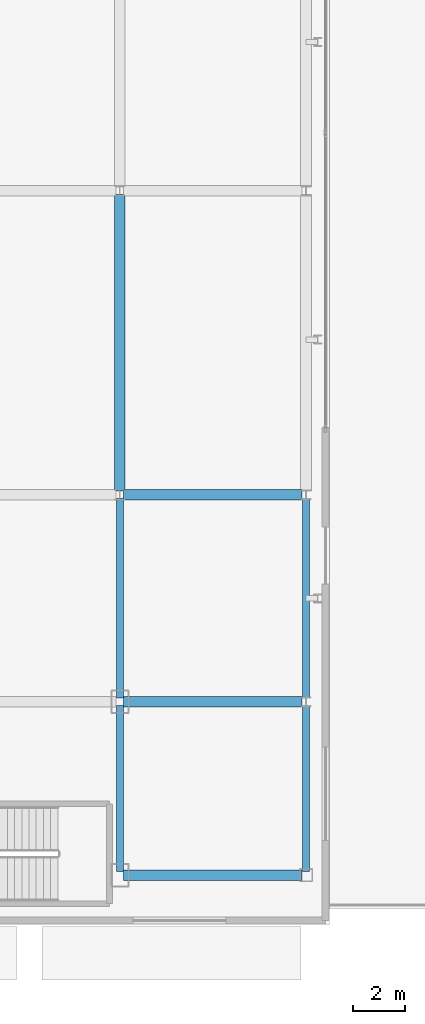
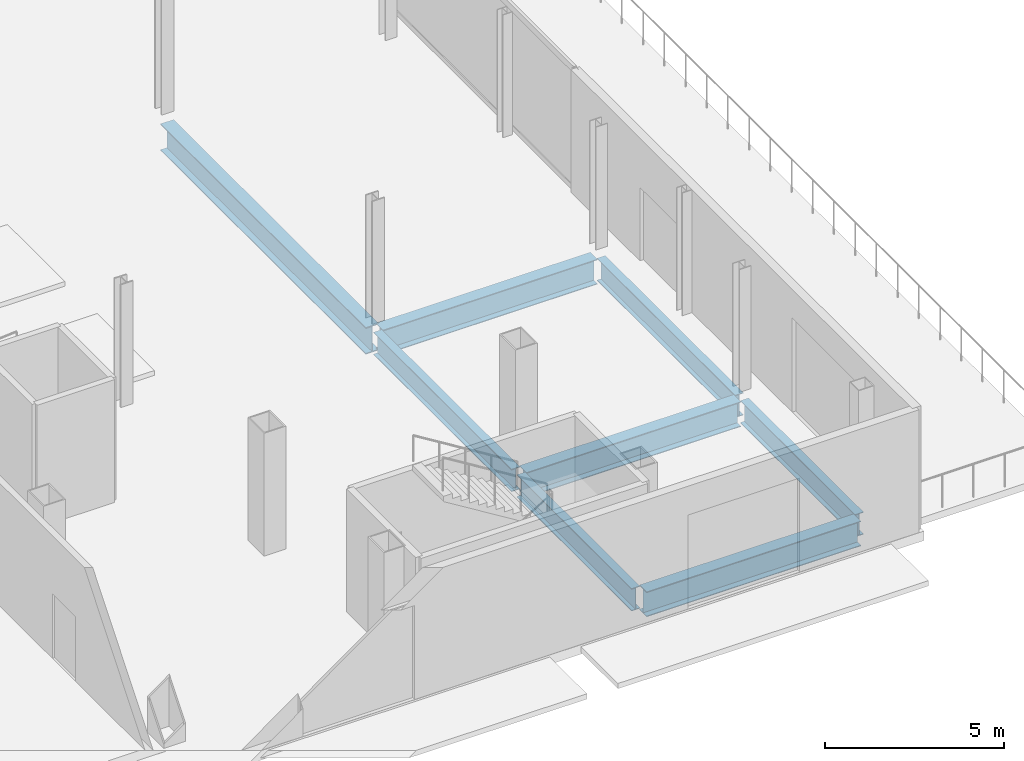
# One storey, part 16 of 31: 8 beams.
"""IFC4 building model written with IfcOpenShell, lengths in metres."""

import ifcopenshell
import ifcopenshell.guid

model = None  # the IFC model being written
_history = None  # IfcOwnerHistory: only IFC2X3 demands one
_inside = {}  # id of a spatial element -> (the spatial element, [elements in it])
_under = {}  # id of a project, library or spatial element -> (it, [spatial elements below it])
_declared = {}  # id of a project -> (the project, [libraries it declares])
_typed = {}  # id of a type object -> (the type object, [elements of that type])
_made_of = {}  # id of a material, layer set ... -> (it, [elements and type objects made of it])


def new_model(schema):
    """Start an empty IFC model of exactly this schema.

    Asked for "IFC4X3", IfcOpenShell would pick the latest addendum, in which some entities
    have other attributes; the version numbers below select the first issue.
    IFC2X3 requires an IfcOwnerHistory on every rooted entity: one is made here for all.
    """
    global model, _history
    if schema == "IFC4X3":
        model = ifcopenshell.file(schema_version=(4, 3, 0, 0))
    else:
        model = ifcopenshell.file(schema=schema)
    _inside.clear()
    _under.clear()
    _declared.clear()
    _typed.clear()
    _made_of.clear()
    _history = None
    if model.schema == "IFC2X3":
        org = make("IfcOrganization", Name="unknown")
        user = make(
            "IfcPersonAndOrganization",
            ThePerson=make("IfcPerson", FamilyName="unknown"),
            TheOrganization=org,
        )
        app = make(
            "IfcApplication",
            ApplicationDeveloper=org,
            Version="unknown",
            ApplicationFullName="unknown",
            ApplicationIdentifier="unknown",
        )
        _history = make(
            "IfcOwnerHistory",
            OwningUser=user,
            OwningApplication=app,
            ChangeAction="ADDED",
            CreationDate=0,
        )
    return model


def make(cls, **values):
    """One entity of the class cls with the attributes given. An attribute that is None is left unset."""
    return model.create_entity(
        cls, **{name: value for name, value in values.items() if value is not None}
    )


def rooted(cls, **values):
    """An entity with a GlobalId (a new one), such as an element, a storey or a relation."""
    return make(cls, GlobalId=ifcopenshell.guid.new(), OwnerHistory=_history, **values)


def si_unit(unit_type, name, prefix=None):
    """IfcSIUnit, for example si_unit("LENGTHUNIT", "METRE", prefix="MILLI")."""
    return make("IfcSIUnit", UnitType=unit_type, Prefix=prefix, Name=name)


def assignment(units):
    """IfcUnitAssignment: the units of a project."""
    return None if units is None else make("IfcUnitAssignment", Units=units)


def point(xyz):
    """IfcCartesianPoint."""
    return None if xyz is None else make("IfcCartesianPoint", Coordinates=xyz)


def direction(xyz):
    """IfcDirection."""
    return None if xyz is None else make("IfcDirection", DirectionRatios=xyz)


def frame(location, z_axis=None, x_axis=None):
    """IfcAxis2Placement3D, a coordinate frame: its origin and axes. An axis left out is left unset."""
    return make(
        "IfcAxis2Placement3D",
        Location=point(location),
        Axis=direction(z_axis),
        RefDirection=direction(x_axis),
    )


def frame_2d(location, x_axis=None):
    """IfcAxis2Placement2D, a coordinate frame in the plane: its origin and x axis."""
    return make(
        "IfcAxis2Placement2D", Location=point(location), RefDirection=direction(x_axis)
    )


def origin():
    """The frame at (0, 0, 0) with its axes left unset."""
    return frame((0.0, 0.0, 0.0))


def origin_2d():
    """The frame at (0, 0) in the plane with its x axis left unset."""
    return frame_2d((0.0, 0.0))


def place(relative_to, where):
    """IfcLocalPlacement: puts the frame where relative to a parent placement (None: the world)."""
    return make(
        "IfcLocalPlacement", PlacementRelTo=relative_to, RelativePlacement=where
    )


def context(
    kind, dimensions, precision=None, world=None, true_north=None, identifier=None
):
    """IfcGeometricRepresentationContext, for example the 3D "Model" context."""
    return make(
        "IfcGeometricRepresentationContext",
        ContextIdentifier=identifier,
        ContextType=kind,
        CoordinateSpaceDimension=dimensions,
        Precision=precision,
        WorldCoordinateSystem=world,
        TrueNorth=true_north,
    )


def subcontext(parent, identifier, kind, view, scale=None):
    """IfcGeometricRepresentationSubContext, for example "Body" below "Model"."""
    return make(
        "IfcGeometricRepresentationSubContext",
        ContextIdentifier=identifier,
        ContextType=kind,
        ParentContext=parent,
        TargetScale=scale,
        TargetView=view,
    )


def project(units=None, contexts=None):
    """IfcProject with its units and contexts."""
    return rooted(
        "IfcProject",
        Name="project",
        RepresentationContexts=contexts,
        UnitsInContext=assignment(units),
    )


def spatial(cls, under=None, at=None, **own):
    """A site, building, storey or space (cls), placed at a placement, below another one or the project."""
    s = rooted(cls, ObjectPlacement=at, **own)
    if under is not None:
        _under.setdefault(under.id(), (under, []))[1].append(s)
    return s


def profile(cls, at=None, kind="AREA", **sizes):
    """A parametric profile (cls). Its sizes go by their IFC names, for example OverallWidth=200.0."""
    return make(cls, ProfileType=kind, Position=at, **sizes)


def i_section(**sizes):
    """IfcIShapeProfileDef."""
    return profile("IfcIShapeProfileDef", **sizes)


def extrude(swept, where, along, depth):
    """IfcExtrudedAreaSolid: the profile swept, set in the frame where, extruded along a direction by depth."""
    return make(
        "IfcExtrudedAreaSolid",
        SweptArea=swept,
        Position=where,
        ExtrudedDirection=direction(along),
        Depth=depth,
    )


def shape(context_of_items, identifier, shape_type, items):
    """IfcShapeRepresentation: the items that make up one representation, for example the "Body"."""
    return make(
        "IfcShapeRepresentation",
        ContextOfItems=context_of_items,
        RepresentationIdentifier=identifier,
        RepresentationType=shape_type,
        Items=items,
    )


def source(mapping_origin, context_of_items, identifier, shape_type, items):
    """IfcRepresentationMap: a shape defined once, which mapped items show again and again."""
    return make(
        "IfcRepresentationMap",
        MappingOrigin=mapping_origin,
        MappedRepresentation=shape(context_of_items, identifier, shape_type, items),
    )


def transform(
    local_origin,
    x_axis=None,
    y_axis=None,
    z_axis=None,
    scale=None,
    scale2=None,
    scale3=None,
    uniform=True,
):
    """IfcCartesianTransformationOperator3D, or its non-uniform kind. x_axis, y_axis, z_axis: its Axis1, 2, 3."""
    if uniform:
        return make(
            "IfcCartesianTransformationOperator3D",
            Axis1=direction(x_axis),
            Axis2=direction(y_axis),
            LocalOrigin=point(local_origin),
            Scale=scale,
            Axis3=direction(z_axis),
        )
    return make(
        "IfcCartesianTransformationOperator3DnonUniform",
        Axis1=direction(x_axis),
        Axis2=direction(y_axis),
        LocalOrigin=point(local_origin),
        Scale=scale,
        Axis3=direction(z_axis),
        Scale2=scale2,
        Scale3=scale3,
    )


def mapped(mapping_source, mapping_target):
    """IfcMappedItem: shows the shape of a source again, moved by a transform."""
    return make(
        "IfcMappedItem", MappingSource=mapping_source, MappingTarget=mapping_target
    )


def material(Name=None, Category=None):
    """IfcMaterial."""
    return make("IfcMaterial", Name=Name, Category=Category)


def material_profile(
    of_material, cross_section, Name=None, Category=None, Priority=None
):
    """IfcMaterialProfile: a cross section and its material."""
    return make(
        "IfcMaterialProfile",
        Name=Name,
        Material=of_material,
        Profile=cross_section,
        Priority=Priority,
        Category=Category,
    )


def profile_set(profiles, Name=None, composite=None):
    """IfcMaterialProfileSet."""
    return make(
        "IfcMaterialProfileSet",
        Name=Name,
        MaterialProfiles=profiles,
        CompositeProfile=composite,
    )


def made_of(thing, what):
    """Note that an element or type object is made of a material, layer set ...; save() writes the relation."""
    if what is not None:
        _made_of.setdefault(what.id(), (what, []))[1].append(thing)
    return thing


def type_object(cls, material=None, **own):
    """A type object (cls), such as IfcWallType, which elements share."""
    return made_of(rooted(cls, **own), material)


def element(
    cls,
    number,
    at=None,
    inside=None,
    cuts=None,
    type_object=None,
    material=None,
    context=None,
    identifier="Body",
    shape_type=None,
    held_by="IfcProductDefinitionShape",
    body=None,
    shapes=None,
    **own,
):
    """One element of the class cls, such as IfcWall. Its Tag is "e" and its number.

    at: its placement. inside: the storey or other place that contains it. cuts: it is an
    opening in that element (IfcRelVoidsElement). A single representation is given by context,
    identifier, shape_type and body (its items); several are given by shapes. held_by: the class
    of the entity that holds the representations. save() writes the other relations.
    """
    e = rooted(cls, Tag="e%d" % number, ObjectPlacement=at, **own)
    if body is not None:
        shapes = [shape(context, identifier, shape_type, body)]
    if shapes is not None:
        e.Representation = make(held_by, Representations=shapes)
    if inside is not None:
        _inside.setdefault(inside.id(), (inside, []))[1].append(e)
    if cuts is not None:
        rooted(
            "IfcRelVoidsElement", RelatingBuildingElement=cuts, RelatedOpeningElement=e
        )
    if type_object is not None:
        _typed.setdefault(type_object.id(), (type_object, []))[1].append(e)
    return made_of(e, material)


def aggregate(whole, parts):
    """IfcRelAggregates: a whole, such as a stair, and the parts it consists of."""
    return rooted("IfcRelAggregates", RelatingObject=whole, RelatedObjects=parts)


def save(model, path):
    """Write the relations noted so far, then the file.

    IfcRelAggregates (storeys below a building ...), IfcRelContainedInSpatialStructure (elements
    in a storey), IfcRelDefinesByType, IfcRelAssociatesMaterial and IfcRelDeclares: one each for
    every whole, place, type object, material and project.
    """
    for whole, parts in _under.values():
        aggregate(whole, parts)
    for where, things in _inside.values():
        rooted(
            "IfcRelContainedInSpatialStructure",
            RelatedElements=things,
            RelatingStructure=where,
        )
    for kind, things in _typed.values():
        rooted("IfcRelDefinesByType", RelatedObjects=things, RelatingType=kind)
    for what, things in _made_of.values():
        rooted("IfcRelAssociatesMaterial", RelatedObjects=things, RelatingMaterial=what)
    for by, libraries in _declared.values():
        rooted("IfcRelDeclares", RelatingContext=by, RelatedDefinitions=libraries)
    model.write(path)


model = new_model("IFC4")

# Units and contexts
model_context = context("Model", 3, precision=1e-05, world=origin(), true_north=direction((0.0, 1.0)))
body_context = subcontext(model_context, "Body", "Model", "MODEL_VIEW")
ifc_project = project(units=[si_unit("LENGTHUNIT", "METRE"), si_unit("AREAUNIT", "SQUARE_METRE"), si_unit("VOLUMEUNIT", "CUBIC_METRE"), si_unit("PLANEANGLEUNIT", "RADIAN"), si_unit("MASSUNIT", "GRAM", prefix="KILO")], contexts=[model_context])

# Site, building, storey
site_placement = place(None, origin())
site = spatial("IfcSite", under=ifc_project, at=site_placement, CompositionType="ELEMENT")
building_placement = place(site_placement, origin())
building = spatial("IfcBuilding", under=site, at=building_placement, Name="Kolveth Station Tower", CompositionType="ELEMENT")
storey_placement = place(building_placement, origin())
storey = spatial("IfcBuildingStorey", under=building, at=storey_placement, Name="L00", CompositionType="ELEMENT", Elevation=0.0)

# Beams
ifc_material = material(Name="Steel S355", Category="steel")
ifc_material_profile_1 = material_profile(ifc_material, i_section(OverallWidth=0.40087890625, OverallDepth=0.85107421875, WebThickness=0.01611328125, FlangeThickness=0.025390625, at=origin_2d()), Name="W840x226")
ifc_profile_set_1 = profile_set([ifc_material_profile_1], Name="Steel S355")
beam_type_1 = type_object("IfcBeamType", Name="Beam_B2", PredefinedType="BEAM", material=ifc_profile_set_1)
shared_shape_1 = source(origin(), body_context, "Body", "SweptSolid", [
    extrude(i_section(OverallWidth=0.40087890625, OverallDepth=0.85107421875, WebThickness=0.01611328125, FlangeThickness=0.025390625, at=origin_2d()), origin(), (0.0, 0.0, 1.0), 6.900146484375),
])
for number, where, z_axis, x_axis, name in (
    (1, (63.64990234375, -9.199951171875, -0.74560546875), (1.0, 0.0, 0.0), (0.0, 1.0, 0.0), "L00 Station Portal Girder SBM-L00-EW-1-3"),
    (2, (63.64990234375, -2.5, -0.74560546875), (1.0, 0.0, 0.0), (0.0, 1.0, 0.0), "L00 Station Portal Girder SBM-L00-EW-2-3"),
    (3, (63.64990234375, 5.5, -0.74560546875), (1.0, 0.0, 0.0), (0.0, 1.0, 0.0), "L00 Station Portal Girder SBM-L00-EW-3-3"),
):
    element("IfcBeam", number, at=place(storey_placement, frame(where, z_axis=z_axis, x_axis=x_axis)), inside=storey, type_object=beam_type_1, Name=name, PredefinedType="BEAM", context=body_context, shape_type="MappedRepresentation", body=[
        mapped(shared_shape_1, transform((0.0, 0.0, 0.0), x_axis=(1.0, 0.0, 0.0), y_axis=(0.0, 1.0, 0.0), z_axis=(0.0, 0.0, 1.0), scale=1.0)),
    ])
ifc_material_profile_2 = material_profile(ifc_material, i_section(OverallWidth=0.26708984375, OverallDepth=0.76611328125, WebThickness=0.014892578125, FlangeThickness=0.023681640625, at=origin_2d()), Name="W760x185")
ifc_profile_set_2 = profile_set([ifc_material_profile_2], Name="Steel S355")
beam_type_2 = type_object("IfcBeamType", Name="Beam_B3", PredefinedType="BEAM", material=ifc_profile_set_2)
shared_shape_2 = source(origin(), body_context, "Body", "SweptSolid", [
    extrude(i_section(OverallWidth=0.26708984375, OverallDepth=0.76611328125, WebThickness=0.014892578125, FlangeThickness=0.023681640625, at=origin_2d()), origin(), (0.0, 0.0, 1.0), 6.400146484375),
])
for number, where, z_axis, x_axis, name in (
    (4, (63.5, -9.050048828125, -0.702880859375), (0.0, 1.0, 0.0), (-1.0, 0.0, 0.0), "L00 Station Spine Girder SBM-L00-NS-3-1"),
    (5, (70.699951171875, -9.050048828125, -0.702880859375), (0.0, 1.0, 0.0), (-1.0, 0.0, 0.0), "L00 Station Spine Girder SBM-L00-NS-4-1"),
):
    element("IfcBeam", number, at=place(storey_placement, frame(where, z_axis=z_axis, x_axis=x_axis)), inside=storey, type_object=beam_type_2, Name=name, PredefinedType="BEAM", context=body_context, shape_type="MappedRepresentation", body=[
        mapped(shared_shape_2, transform((0.0, 0.0, 0.0), x_axis=(1.0, 0.0, 0.0), y_axis=(0.0, 1.0, 0.0), z_axis=(0.0, 0.0, 1.0), scale=1.0)),
    ])
shared_shape_3 = source(origin(), body_context, "Body", "SweptSolid", [
    extrude(i_section(OverallWidth=0.26708984375, OverallDepth=0.76611328125, WebThickness=0.014892578125, FlangeThickness=0.023681640625, at=origin_2d()), origin(), (0.0, 0.0, 1.0), 7.7001953125),
])
for number, where, z_axis, x_axis, name in (
    (6, (63.5, -2.35009765625, -0.702880859375), (0.0, 1.0, 0.0), (-1.0, 0.0, 0.0), "L00 Station Spine Girder SBM-L00-NS-3-2"),
    (7, (70.699951171875, -2.35009765625, -0.702880859375), (0.0, 1.0, 0.0), (-1.0, 0.0, 0.0), "L00 Station Spine Girder SBM-L00-NS-4-2"),
):
    element("IfcBeam", number, at=place(storey_placement, frame(where, z_axis=z_axis, x_axis=x_axis)), inside=storey, type_object=beam_type_2, Name=name, PredefinedType="BEAM", context=body_context, shape_type="MappedRepresentation", body=[
        mapped(shared_shape_3, transform((0.0, 0.0, 0.0), x_axis=(1.0, 0.0, 0.0), y_axis=(0.0, 1.0, 0.0), z_axis=(0.0, 0.0, 1.0), scale=1.0)),
    ])
ifc_material_profile_3 = material_profile(ifc_material, i_section(OverallWidth=0.41796875, OverallDepth=0.912109375, WebThickness=0.019287109375, FlangeThickness=0.031982421875, at=origin_2d()), Name="W920x342")
ifc_profile_set_3 = profile_set([ifc_material_profile_3], Name="Steel S355")
beam_type_3 = type_object("IfcBeamType", Name="Beam_B1", PredefinedType="BEAM", material=ifc_profile_set_3)
shared_shape_4 = source(origin(), body_context, "Body", "SweptSolid", [
    extrude(i_section(OverallWidth=0.41796875, OverallDepth=0.912109375, WebThickness=0.019287109375, FlangeThickness=0.031982421875, at=origin_2d()), origin(), (0.0, 0.0, 1.0), 11.4501953125),
])
beam_placement = place(storey_placement, frame((63.5, 5.64990234375, -0.77587890625), z_axis=(0.0, 1.0, 0.0), x_axis=(-1.0, 0.0, 0.0)))
element("IfcBeam", 8, at=beam_placement, inside=storey, type_object=beam_type_3, Name="L00 Station Spine Girder SBM-L00-NS-3-3", PredefinedType="BEAM", context=body_context, shape_type="MappedRepresentation", body=[
    mapped(shared_shape_4, transform((0.0, 0.0, 0.0), x_axis=(1.0, 0.0, 0.0), y_axis=(0.0, 1.0, 0.0), z_axis=(0.0, 0.0, 1.0), scale=1.0)),
])

save(model, "model.ifc")
